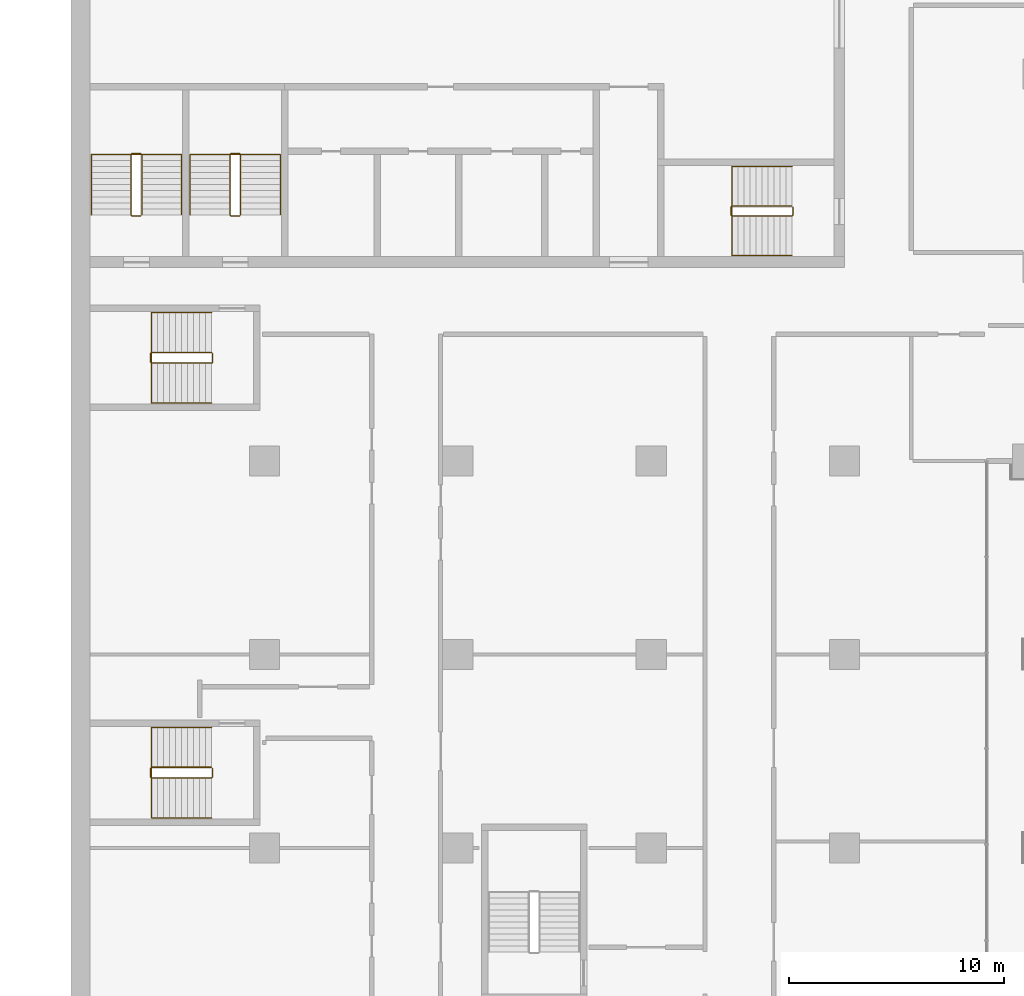
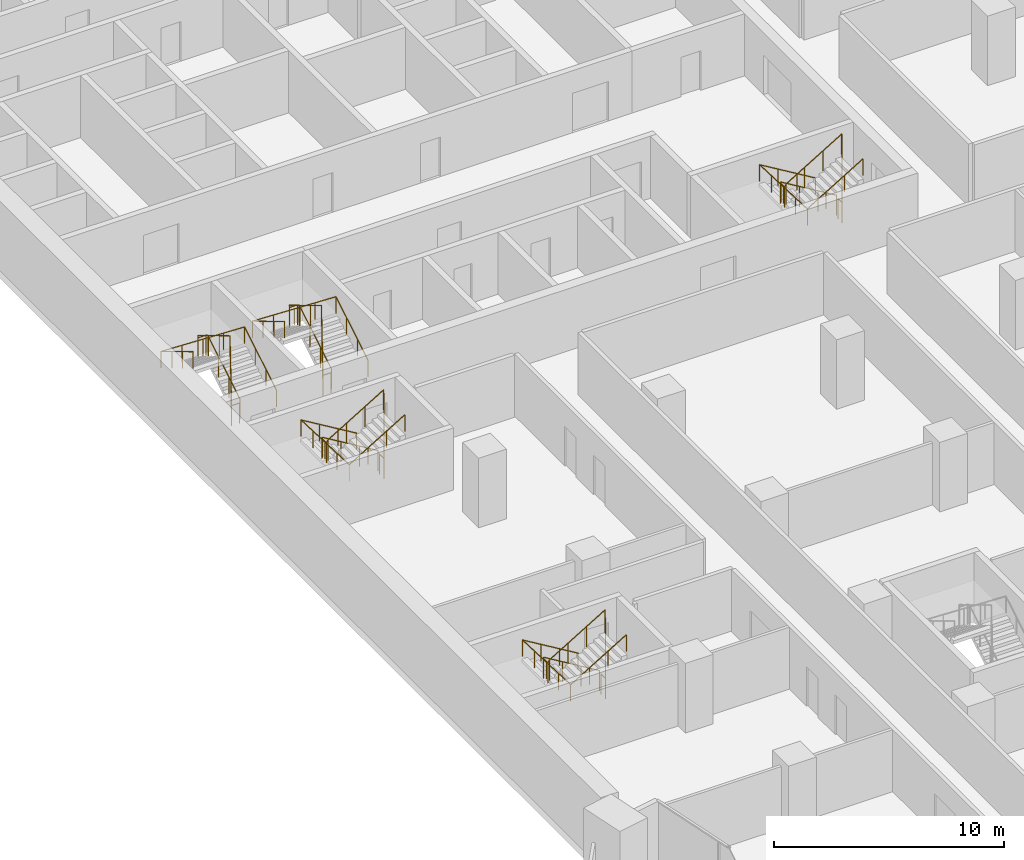
# One storey, part 26 of 29: 10 railings.
"""IFC4 building model written with IfcOpenShell, lengths in metres."""

from ifc_helpers import new_model, si_unit, direction, frame, origin, origin_2d, place, context, subcontext, project, spatial, circle, extrude, material, type_object, element, save


model = new_model("IFC4")

# Units and contexts
model_context = context("Model", 3, precision=1e-05, world=origin(), true_north=direction((0.0, 1.0)))
body_context = subcontext(model_context, "Body", "Model", "MODEL_VIEW")
ifc_project = project(units=[si_unit("LENGTHUNIT", "METRE"), si_unit("AREAUNIT", "SQUARE_METRE"), si_unit("VOLUMEUNIT", "CUBIC_METRE"), si_unit("PLANEANGLEUNIT", "RADIAN"), si_unit("MASSUNIT", "GRAM", prefix="KILO")], contexts=[model_context])

# Site, building, storey
site_placement = place(None, origin())
site = spatial("IfcSite", under=ifc_project, at=site_placement, CompositionType="ELEMENT")
building_placement = place(site_placement, origin())
building = spatial("IfcBuilding", under=site, at=building_placement, Name="Hunhe Ridgeline Campus", CompositionType="ELEMENT")
storey_placement = place(building_placement, frame((0.0, 0.0, 69.10009765625)))
storey = spatial("IfcBuildingStorey", under=building, at=storey_placement, Name="L16", CompositionType="ELEMENT", Elevation=69.10009765625)

# Railings
ifc_material_1 = material(Name="Stainless steel balustrade", Category="steel")
railing_type_1 = type_object("IfcRailingType", Name="Stair guard 1100 stainless", PredefinedType="GUARDRAIL", material=ifc_material_1)
railing_1_placement = place(storey_placement, frame((33.550048828125, 65.85009765625, 0.16796875)))
element("IfcRailing", 1, at=railing_1_placement, inside=storey, type_object=railing_type_1, Name="L16 stair S2 guard", PredefinedType="GUARDRAIL", context=body_context, shape_type="SweptSolid", body=[
    extrude(circle(Radius=0.02392578125, at=origin_2d()), frame((0.0, 0.0, 1.076171875), z_axis=(-0.857242210791, 0.0, 0.514913383045), x_axis=(0.0, -1.0, 0.0)), (0.0, 0.0, 1.0), 3.266357421875),
    extrude(circle(Radius=0.02392578125, at=origin_2d()), frame((-2.800048828125, 0.0, 2.7578125), z_axis=(-0.707106781187, -0.707106781187, 0.0), x_axis=(0.707106781187, -0.707106781187, 0.0)), (0.0, 0.0, 1.0), 0.07080078125),
    extrude(circle(Radius=0.02392578125, at=origin_2d()), frame((-2.85009765625, -0.050048828125, 2.7578125), z_axis=(0.0, -1.0, 0.0), x_axis=(1.0, 0.0, 0.0)), (0.0, 0.0, 1.0), 0.35009765625),
    extrude(circle(Radius=0.02392578125, at=origin_2d()), frame((-2.85009765625, -0.400146484375, 2.7578125), z_axis=(0.274243871929, -0.274243871929, 0.92172696468), x_axis=(0.707106781187, 0.707106781187, 0.0)), (0.0, 0.0, 1.0), 0.1826171875),
    extrude(circle(Radius=0.02392578125, at=origin_2d()), frame((-2.800048828125, -0.4501953125, 2.92626953125), z_axis=(0.857242210791, 0.0, 0.514913383045), x_axis=(0.0, 1.0, 0.0)), (0.0, 0.0, 1.0), 3.266357421875),
    extrude(circle(Radius=0.02392578125, at=origin_2d()), frame((0.0, -0.4501953125, 4.60791015625), z_axis=(0.013524414389, 0.013524414389, -0.999817073484), x_axis=(-0.707106781187, 0.707106781187, 0.0)), (0.0, 0.0, 1.0), 3.70068359375),
    extrude(circle(Radius=0.02392578125, at=origin_2d()), frame((0.050048828125, -0.400146484375, 0.908203125), z_axis=(0.0, 1.0, 0.0), x_axis=(-1.0, 0.0, 0.0)), (0.0, 0.0, 1.0), 0.35009765625),
    extrude(circle(Radius=0.02099609375, at=origin_2d()), origin(), (0.0, 0.0, 1.0), 1.052001953125),
    extrude(circle(Radius=0.02099609375, at=origin_2d()), frame((-0.933349609375, 0.0, 0.560546875)), (0.0, 0.0, 1.0), 1.052001953125),
    extrude(circle(Radius=0.02099609375, at=origin_2d()), frame((-1.86669921875, 0.0, 1.121337890625)), (0.0, 0.0, 1.0), 1.052001953125),
    extrude(circle(Radius=0.02099609375, at=origin_2d()), frame((-2.800048828125, 0.0, 1.681884765625)), (0.0, 0.0, 1.0), 1.052001953125),
    extrude(circle(Radius=0.02099609375, at=origin_2d()), frame((-2.85009765625, -0.050048828125, 1.681884765625)), (0.0, 0.0, 1.0), 1.052001953125),
    extrude(circle(Radius=0.02099609375, at=origin_2d()), frame((-2.85009765625, -0.400146484375, 1.681884765625)), (0.0, 0.0, 1.0), 1.052001953125),
    extrude(circle(Radius=0.02099609375, at=origin_2d()), frame((-2.800048828125, -0.4501953125, 1.85009765625)), (0.0, 0.0, 1.0), 1.052001953125),
    extrude(circle(Radius=0.02099609375, at=origin_2d()), frame((-1.86669921875, -0.4501953125, 2.41064453125)), (0.0, 0.0, 1.0), 1.052001953125),
    extrude(circle(Radius=0.02099609375, at=origin_2d()), frame((-0.933349609375, -0.4501953125, 2.971435546875)), (0.0, 0.0, 1.0), 1.052001953125),
    extrude(circle(Radius=0.02099609375, at=origin_2d()), frame((0.0, -0.4501953125, 3.531982421875)), (0.0, 0.0, 1.0), 1.052001953125),
    extrude(circle(Radius=0.02099609375, at=origin_2d()), frame((0.012451171875, -0.437744140625, 2.60693359375)), (0.0, 0.0, 1.0), 1.052001953125),
    extrude(circle(Radius=0.02099609375, at=origin_2d()), frame((0.02490234375, -0.42529296875, 1.68212890625)), (0.0, 0.0, 1.0), 1.052001953125),
    extrude(circle(Radius=0.02099609375, at=origin_2d()), frame((0.03759765625, -0.41259765625, 0.757080078125)), (0.0, 0.0, 1.0), 1.052001953125),
    extrude(circle(Radius=0.02099609375, at=origin_2d()), frame((0.050048828125, -0.400146484375, -0.16796875)), (0.0, 0.0, 1.0), 1.052001953125),
    extrude(circle(Radius=0.02099609375, at=origin_2d()), frame((0.050048828125, -0.050048828125, -0.16796875)), (0.0, 0.0, 1.0), 1.052001953125),
])
railing_2_placement = place(storey_placement, frame((3.300048828125, 65.449951171875, 0.16796875)))
element("IfcRailing", 2, at=railing_2_placement, inside=storey, type_object=railing_type_1, Name="L16 stair S3 guard", PredefinedType="GUARDRAIL", context=body_context, shape_type="SweptSolid", body=[
    extrude(circle(Radius=0.02392578125, at=origin_2d()), frame((0.0, 0.0, 1.076171875), z_axis=(0.0, 0.857242210791, 0.514913383045), x_axis=(-1.0, 0.0, 0.0)), (0.0, 0.0, 1.0), 3.266357421875),
    extrude(circle(Radius=0.02392578125, at=origin_2d()), frame((0.0, 2.800048828125, 2.7578125), z_axis=(-0.707106781187, 0.707106781187, 0.0), x_axis=(-0.707106781187, -0.707106781187, 0.0)), (0.0, 0.0, 1.0), 0.07080078125),
    extrude(circle(Radius=0.02392578125, at=origin_2d()), frame((-0.050048828125, 2.85009765625, 2.7578125), z_axis=(-1.0, 0.0, 0.0), x_axis=(0.0, -1.0, 0.0)), (0.0, 0.0, 1.0), 0.39990234375),
    extrude(circle(Radius=0.02392578125, at=origin_2d()), frame((-0.449951171875, 2.85009765625, 2.7578125), z_axis=(-0.274243871929, -0.274243871929, 0.92172696468), x_axis=(0.707106781187, -0.707106781187, 0.0)), (0.0, 0.0, 1.0), 0.1826171875),
    extrude(circle(Radius=0.02392578125, at=origin_2d()), frame((-0.5, 2.800048828125, 2.92626953125), z_axis=(0.0, -0.857242210791, 0.514913383045), x_axis=(1.0, 0.0, 0.0)), (0.0, 0.0, 1.0), 3.266357421875),
    extrude(circle(Radius=0.02392578125, at=origin_2d()), frame((-0.5, 0.0, 4.60791015625), z_axis=(0.013524414389, -0.013524414389, -0.999817073484), x_axis=(0.707106781187, 0.707106781187, 0.0)), (0.0, 0.0, 1.0), 3.70068359375),
    extrude(circle(Radius=0.02392578125, at=origin_2d()), frame((-0.449951171875, -0.050048828125, 0.908203125), z_axis=(1.0, 0.0, 0.0), x_axis=(0.0, 1.0, 0.0)), (0.0, 0.0, 1.0), 0.39990234375),
    extrude(circle(Radius=0.02099609375, at=origin_2d()), origin(), (0.0, 0.0, 1.0), 1.052001953125),
    extrude(circle(Radius=0.02099609375, at=origin_2d()), frame((0.0, 0.933349609375, 0.560546875)), (0.0, 0.0, 1.0), 1.052001953125),
    extrude(circle(Radius=0.02099609375, at=origin_2d()), frame((0.0, 1.86669921875, 1.121337890625)), (0.0, 0.0, 1.0), 1.052001953125),
    extrude(circle(Radius=0.02099609375, at=origin_2d()), frame((0.0, 2.800048828125, 1.681884765625)), (0.0, 0.0, 1.0), 1.052001953125),
    extrude(circle(Radius=0.02099609375, at=origin_2d()), frame((-0.050048828125, 2.85009765625, 1.681884765625)), (0.0, 0.0, 1.0), 1.052001953125),
    extrude(circle(Radius=0.02099609375, at=origin_2d()), frame((-0.449951171875, 2.85009765625, 1.681884765625)), (0.0, 0.0, 1.0), 1.052001953125),
    extrude(circle(Radius=0.02099609375, at=origin_2d()), frame((-0.5, 2.800048828125, 1.85009765625)), (0.0, 0.0, 1.0), 1.052001953125),
    extrude(circle(Radius=0.02099609375, at=origin_2d()), frame((-0.5, 1.86669921875, 2.41064453125)), (0.0, 0.0, 1.0), 1.052001953125),
    extrude(circle(Radius=0.02099609375, at=origin_2d()), frame((-0.5, 0.933349609375, 2.971435546875)), (0.0, 0.0, 1.0), 1.052001953125),
    extrude(circle(Radius=0.02099609375, at=origin_2d()), frame((-0.5, 0.0, 3.531982421875)), (0.0, 0.0, 1.0), 1.052001953125),
    extrude(circle(Radius=0.02099609375, at=origin_2d()), frame((-0.487548828125, -0.012451171875, 2.60693359375)), (0.0, 0.0, 1.0), 1.052001953125),
    extrude(circle(Radius=0.02099609375, at=origin_2d()), frame((-0.47509765625, -0.02490234375, 1.68212890625)), (0.0, 0.0, 1.0), 1.052001953125),
    extrude(circle(Radius=0.02099609375, at=origin_2d()), frame((-0.46240234375, -0.03759765625, 0.757080078125)), (0.0, 0.0, 1.0), 1.052001953125),
    extrude(circle(Radius=0.02099609375, at=origin_2d()), frame((-0.449951171875, -0.050048828125, -0.16796875)), (0.0, 0.0, 1.0), 1.052001953125),
    extrude(circle(Radius=0.02099609375, at=origin_2d()), frame((-0.050048828125, -0.050048828125, -0.16796875)), (0.0, 0.0, 1.0), 1.052001953125),
])
railing_3_placement = place(storey_placement, frame((7.89990234375, 65.449951171875, 0.16796875)))
element("IfcRailing", 3, at=railing_3_placement, inside=storey, type_object=railing_type_1, Name="L16 stair S4 guard", PredefinedType="GUARDRAIL", context=body_context, shape_type="SweptSolid", body=[
    extrude(circle(Radius=0.02392578125, at=origin_2d()), frame((0.0, 0.0, 1.076171875), z_axis=(0.0, 0.857242210791, 0.514913383045), x_axis=(-1.0, 0.0, 0.0)), (0.0, 0.0, 1.0), 3.266357421875),
    extrude(circle(Radius=0.02392578125, at=origin_2d()), frame((0.0, 2.800048828125, 2.7578125), z_axis=(-0.705375805398, 0.708833529934, 0.0), x_axis=(-0.708833529934, -0.705375805398, 0.0)), (0.0, 0.0, 1.0), 0.070556640625),
    extrude(circle(Radius=0.02392578125, at=origin_2d()), frame((-0.0498046875, 2.85009765625, 2.7578125), z_axis=(-1.0, 0.0, 0.0), x_axis=(0.0, -1.0, 0.0)), (0.0, 0.0, 1.0), 0.400146484375),
    extrude(circle(Radius=0.02392578125, at=origin_2d()), frame((-0.449951171875, 2.85009765625, 2.7578125), z_axis=(-0.274243871929, -0.274243871929, 0.92172696468), x_axis=(0.707106781187, -0.707106781187, 0.0)), (0.0, 0.0, 1.0), 0.1826171875),
    extrude(circle(Radius=0.02392578125, at=origin_2d()), frame((-0.5, 2.800048828125, 2.92626953125), z_axis=(0.0, -0.857242210791, 0.514913383045), x_axis=(1.0, 0.0, 0.0)), (0.0, 0.0, 1.0), 3.266357421875),
    extrude(circle(Radius=0.02392578125, at=origin_2d()), frame((-0.5, 0.0, 4.60791015625), z_axis=(0.013524414389, -0.013524414389, -0.999817073484), x_axis=(0.707106781187, 0.707106781187, 0.0)), (0.0, 0.0, 1.0), 3.70068359375),
    extrude(circle(Radius=0.02392578125, at=origin_2d()), frame((-0.449951171875, -0.050048828125, 0.908203125), z_axis=(1.0, 0.0, 0.0), x_axis=(0.0, 1.0, 0.0)), (0.0, 0.0, 1.0), 0.400146484375),
    extrude(circle(Radius=0.02099609375, at=origin_2d()), origin(), (0.0, 0.0, 1.0), 1.052001953125),
    extrude(circle(Radius=0.02099609375, at=origin_2d()), frame((0.0, 0.933349609375, 0.560546875)), (0.0, 0.0, 1.0), 1.052001953125),
    extrude(circle(Radius=0.02099609375, at=origin_2d()), frame((0.0, 1.86669921875, 1.121337890625)), (0.0, 0.0, 1.0), 1.052001953125),
    extrude(circle(Radius=0.02099609375, at=origin_2d()), frame((0.0, 2.800048828125, 1.681884765625)), (0.0, 0.0, 1.0), 1.052001953125),
    extrude(circle(Radius=0.02099609375, at=origin_2d()), frame((-0.0498046875, 2.85009765625, 1.681884765625)), (0.0, 0.0, 1.0), 1.052001953125),
    extrude(circle(Radius=0.02099609375, at=origin_2d()), frame((-0.449951171875, 2.85009765625, 1.681884765625)), (0.0, 0.0, 1.0), 1.052001953125),
    extrude(circle(Radius=0.02099609375, at=origin_2d()), frame((-0.5, 2.800048828125, 1.85009765625)), (0.0, 0.0, 1.0), 1.052001953125),
    extrude(circle(Radius=0.02099609375, at=origin_2d()), frame((-0.5, 1.86669921875, 2.41064453125)), (0.0, 0.0, 1.0), 1.052001953125),
    extrude(circle(Radius=0.02099609375, at=origin_2d()), frame((-0.5, 0.933349609375, 2.971435546875)), (0.0, 0.0, 1.0), 1.052001953125),
    extrude(circle(Radius=0.02099609375, at=origin_2d()), frame((-0.5, 0.0, 3.531982421875)), (0.0, 0.0, 1.0), 1.052001953125),
    extrude(circle(Radius=0.02099609375, at=origin_2d()), frame((-0.487548828125, -0.012451171875, 2.60693359375)), (0.0, 0.0, 1.0), 1.052001953125),
    extrude(circle(Radius=0.02099609375, at=origin_2d()), frame((-0.47509765625, -0.02490234375, 1.68212890625)), (0.0, 0.0, 1.0), 1.052001953125),
    extrude(circle(Radius=0.02099609375, at=origin_2d()), frame((-0.46240234375, -0.03759765625, 0.757080078125)), (0.0, 0.0, 1.0), 1.052001953125),
    extrude(circle(Radius=0.02099609375, at=origin_2d()), frame((-0.449951171875, -0.050048828125, -0.16796875)), (0.0, 0.0, 1.0), 1.052001953125),
    extrude(circle(Radius=0.02099609375, at=origin_2d()), frame((-0.0498046875, -0.050048828125, -0.16796875)), (0.0, 0.0, 1.0), 1.052001953125),
])
railing_4_placement = place(storey_placement, frame((6.550048828125, 39.75, 0.16796875)))
element("IfcRailing", 4, at=railing_4_placement, inside=storey, type_object=railing_type_1, Name="L16 stair W1 guard", PredefinedType="GUARDRAIL", context=body_context, shape_type="SweptSolid", body=[
    extrude(circle(Radius=0.02392578125, at=origin_2d()), frame((0.0, 0.0, 1.076171875), z_axis=(-0.857242210791, 0.0, 0.514913383045), x_axis=(0.0, -1.0, 0.0)), (0.0, 0.0, 1.0), 3.266357421875),
    extrude(circle(Radius=0.02392578125, at=origin_2d()), frame((-2.800048828125, 0.0, 2.7578125), z_axis=(-0.707106781187, -0.707106781187, 0.0), x_axis=(0.707106781187, -0.707106781187, 0.0)), (0.0, 0.0, 1.0), 0.07080078125),
    extrude(circle(Radius=0.02392578125, at=origin_2d()), frame((-2.85009765625, -0.050048828125, 2.7578125), z_axis=(0.0, -1.0, 0.0), x_axis=(1.0, 0.0, 0.0)), (0.0, 0.0, 1.0), 0.39990234375),
    extrude(circle(Radius=0.02392578125, at=origin_2d()), frame((-2.85009765625, -0.449951171875, 2.7578125), z_axis=(0.274243871929, -0.274243871929, 0.92172696468), x_axis=(0.707106781187, 0.707106781187, 0.0)), (0.0, 0.0, 1.0), 0.1826171875),
    extrude(circle(Radius=0.02392578125, at=origin_2d()), frame((-2.800048828125, -0.5, 2.92626953125), z_axis=(0.857242210791, 0.0, 0.514913383045), x_axis=(0.0, 1.0, 0.0)), (0.0, 0.0, 1.0), 3.266357421875),
    extrude(circle(Radius=0.02392578125, at=origin_2d()), frame((0.0, -0.5, 4.60791015625), z_axis=(0.013524414389, 0.013524414389, -0.999817073484), x_axis=(-0.707106781187, 0.707106781187, 0.0)), (0.0, 0.0, 1.0), 3.70068359375),
    extrude(circle(Radius=0.02392578125, at=origin_2d()), frame((0.050048828125, -0.449951171875, 0.908203125), z_axis=(0.0, 1.0, 0.0), x_axis=(-1.0, 0.0, 0.0)), (0.0, 0.0, 1.0), 0.39990234375),
    extrude(circle(Radius=0.02099609375, at=origin_2d()), origin(), (0.0, 0.0, 1.0), 1.052001953125),
    extrude(circle(Radius=0.02099609375, at=origin_2d()), frame((-0.933349609375, 0.0, 0.560546875)), (0.0, 0.0, 1.0), 1.052001953125),
    extrude(circle(Radius=0.02099609375, at=origin_2d()), frame((-1.86669921875, 0.0, 1.121337890625)), (0.0, 0.0, 1.0), 1.052001953125),
    extrude(circle(Radius=0.02099609375, at=origin_2d()), frame((-2.800048828125, 0.0, 1.681884765625)), (0.0, 0.0, 1.0), 1.052001953125),
    extrude(circle(Radius=0.02099609375, at=origin_2d()), frame((-2.85009765625, -0.050048828125, 1.681884765625)), (0.0, 0.0, 1.0), 1.052001953125),
    extrude(circle(Radius=0.02099609375, at=origin_2d()), frame((-2.85009765625, -0.449951171875, 1.681884765625)), (0.0, 0.0, 1.0), 1.052001953125),
    extrude(circle(Radius=0.02099609375, at=origin_2d()), frame((-2.800048828125, -0.5, 1.85009765625)), (0.0, 0.0, 1.0), 1.052001953125),
    extrude(circle(Radius=0.02099609375, at=origin_2d()), frame((-1.86669921875, -0.5, 2.41064453125)), (0.0, 0.0, 1.0), 1.052001953125),
    extrude(circle(Radius=0.02099609375, at=origin_2d()), frame((-0.933349609375, -0.5, 2.971435546875)), (0.0, 0.0, 1.0), 1.052001953125),
    extrude(circle(Radius=0.02099609375, at=origin_2d()), frame((0.0, -0.5, 3.531982421875)), (0.0, 0.0, 1.0), 1.052001953125),
    extrude(circle(Radius=0.02099609375, at=origin_2d()), frame((0.012451171875, -0.487548828125, 2.60693359375)), (0.0, 0.0, 1.0), 1.052001953125),
    extrude(circle(Radius=0.02099609375, at=origin_2d()), frame((0.02490234375, -0.47509765625, 1.68212890625)), (0.0, 0.0, 1.0), 1.052001953125),
    extrude(circle(Radius=0.02099609375, at=origin_2d()), frame((0.03759765625, -0.46240234375, 0.757080078125)), (0.0, 0.0, 1.0), 1.052001953125),
    extrude(circle(Radius=0.02099609375, at=origin_2d()), frame((0.050048828125, -0.449951171875, -0.16796875)), (0.0, 0.0, 1.0), 1.052001953125),
    extrude(circle(Radius=0.02099609375, at=origin_2d()), frame((0.050048828125, -0.050048828125, -0.16796875)), (0.0, 0.0, 1.0), 1.052001953125),
])
railing_5_placement = place(storey_placement, frame((6.550048828125, 59.050048828125, 0.16796875)))
element("IfcRailing", 5, at=railing_5_placement, inside=storey, type_object=railing_type_1, Name="L16 stair W2 guard", PredefinedType="GUARDRAIL", context=body_context, shape_type="SweptSolid", body=[
    extrude(circle(Radius=0.02392578125, at=origin_2d()), frame((0.0, 0.0, 1.076171875), z_axis=(-0.857242210791, 0.0, 0.514913383045), x_axis=(0.0, -1.0, 0.0)), (0.0, 0.0, 1.0), 3.266357421875),
    extrude(circle(Radius=0.02392578125, at=origin_2d()), frame((-2.800048828125, 0.0, 2.7578125), z_axis=(-0.707106781187, -0.707106781187, 0.0), x_axis=(0.707106781187, -0.707106781187, 0.0)), (0.0, 0.0, 1.0), 0.07080078125),
    extrude(circle(Radius=0.02392578125, at=origin_2d()), frame((-2.85009765625, -0.050048828125, 2.7578125), z_axis=(0.0, -1.0, 0.0), x_axis=(1.0, 0.0, 0.0)), (0.0, 0.0, 1.0), 0.39990234375),
    extrude(circle(Radius=0.02392578125, at=origin_2d()), frame((-2.85009765625, -0.449951171875, 2.7578125), z_axis=(0.274243871929, -0.274243871929, 0.92172696468), x_axis=(0.707106781187, 0.707106781187, 0.0)), (0.0, 0.0, 1.0), 0.1826171875),
    extrude(circle(Radius=0.02392578125, at=origin_2d()), frame((-2.800048828125, -0.5, 2.92626953125), z_axis=(0.857242210791, 0.0, 0.514913383045), x_axis=(0.0, 1.0, 0.0)), (0.0, 0.0, 1.0), 3.266357421875),
    extrude(circle(Radius=0.02392578125, at=origin_2d()), frame((0.0, -0.5, 4.60791015625), z_axis=(0.013524414389, 0.013524414389, -0.999817073484), x_axis=(-0.707106781187, 0.707106781187, 0.0)), (0.0, 0.0, 1.0), 3.70068359375),
    extrude(circle(Radius=0.02392578125, at=origin_2d()), frame((0.050048828125, -0.449951171875, 0.908203125), z_axis=(0.0, 1.0, 0.0), x_axis=(-1.0, 0.0, 0.0)), (0.0, 0.0, 1.0), 0.39990234375),
    extrude(circle(Radius=0.02099609375, at=origin_2d()), origin(), (0.0, 0.0, 1.0), 1.052001953125),
    extrude(circle(Radius=0.02099609375, at=origin_2d()), frame((-0.933349609375, 0.0, 0.560546875)), (0.0, 0.0, 1.0), 1.052001953125),
    extrude(circle(Radius=0.02099609375, at=origin_2d()), frame((-1.86669921875, 0.0, 1.121337890625)), (0.0, 0.0, 1.0), 1.052001953125),
    extrude(circle(Radius=0.02099609375, at=origin_2d()), frame((-2.800048828125, 0.0, 1.681884765625)), (0.0, 0.0, 1.0), 1.052001953125),
    extrude(circle(Radius=0.02099609375, at=origin_2d()), frame((-2.85009765625, -0.050048828125, 1.681884765625)), (0.0, 0.0, 1.0), 1.052001953125),
    extrude(circle(Radius=0.02099609375, at=origin_2d()), frame((-2.85009765625, -0.449951171875, 1.681884765625)), (0.0, 0.0, 1.0), 1.052001953125),
    extrude(circle(Radius=0.02099609375, at=origin_2d()), frame((-2.800048828125, -0.5, 1.85009765625)), (0.0, 0.0, 1.0), 1.052001953125),
    extrude(circle(Radius=0.02099609375, at=origin_2d()), frame((-1.86669921875, -0.5, 2.41064453125)), (0.0, 0.0, 1.0), 1.052001953125),
    extrude(circle(Radius=0.02099609375, at=origin_2d()), frame((-0.933349609375, -0.5, 2.971435546875)), (0.0, 0.0, 1.0), 1.052001953125),
    extrude(circle(Radius=0.02099609375, at=origin_2d()), frame((0.0, -0.5, 3.531982421875)), (0.0, 0.0, 1.0), 1.052001953125),
    extrude(circle(Radius=0.02099609375, at=origin_2d()), frame((0.012451171875, -0.487548828125, 2.60693359375)), (0.0, 0.0, 1.0), 1.052001953125),
    extrude(circle(Radius=0.02099609375, at=origin_2d()), frame((0.02490234375, -0.47509765625, 1.68212890625)), (0.0, 0.0, 1.0), 1.052001953125),
    extrude(circle(Radius=0.02099609375, at=origin_2d()), frame((0.03759765625, -0.46240234375, 0.757080078125)), (0.0, 0.0, 1.0), 1.052001953125),
    extrude(circle(Radius=0.02099609375, at=origin_2d()), frame((0.050048828125, -0.449951171875, -0.16796875)), (0.0, 0.0, 1.0), 1.052001953125),
    extrude(circle(Radius=0.02099609375, at=origin_2d()), frame((0.050048828125, -0.050048828125, -0.16796875)), (0.0, 0.0, 1.0), 1.052001953125),
])
ifc_material_2 = material(Name="Stainless steel handrail", Category="steel")
railing_type_2 = type_object("IfcRailingType", Name="Stair handrail 900 stainless", PredefinedType="HANDRAIL", material=ifc_material_2)
railing_6_placement = place(storey_placement, frame((33.550048828125, 67.699951171875, 0.16796875)))
element("IfcRailing", 6, at=railing_6_placement, inside=storey, type_object=railing_type_2, Name="L16 stair S2 handrail", PredefinedType="HANDRAIL", context=body_context, shape_type="SweptSolid", body=[
    extrude(circle(Radius=0.02392578125, at=origin_2d()), frame((0.0, 0.0, 0.8759765625), z_axis=(-0.857242210791, 0.0, 0.514913383045), x_axis=(0.0, -1.0, 0.0)), (0.0, 0.0, 1.0), 3.266357421875),
    extrude(circle(Radius=0.02392578125, at=origin_2d()), frame((-2.800048828125, 0.0, 2.5576171875), z_axis=(0.0, -0.99917950104, 0.040500922239), x_axis=(1.0, 0.0, 0.0)), (0.0, 0.0, 1.0), 4.1533203125),
    extrude(circle(Radius=0.02392578125, at=origin_2d()), frame((-2.800048828125, -4.14990234375, 2.72607421875), z_axis=(0.857242210791, 0.0, 0.514913383045), x_axis=(0.0, 1.0, 0.0)), (0.0, 0.0, 1.0), 3.266357421875),
    extrude(circle(Radius=0.02099609375, at=origin_2d()), origin(), (0.0, 0.0, 1.0), 0.851806640625),
    extrude(circle(Radius=0.02099609375, at=origin_2d()), frame((-0.933349609375, 0.0, 0.560546875)), (0.0, 0.0, 1.0), 0.851806640625),
    extrude(circle(Radius=0.02099609375, at=origin_2d()), frame((-1.86669921875, 0.0, 1.121337890625)), (0.0, 0.0, 1.0), 0.851806640625),
    extrude(circle(Radius=0.02099609375, at=origin_2d()), frame((-2.800048828125, 0.0, 1.681884765625)), (0.0, 0.0, 1.0), 0.851806640625),
    extrude(circle(Radius=0.02099609375, at=origin_2d()), frame((-2.800048828125, -1.03759765625, 1.723876953125)), (0.0, 0.0, 1.0), 0.851806640625),
    extrude(circle(Radius=0.02099609375, at=origin_2d()), frame((-2.800048828125, -2.074951171875, 1.76611328125)), (0.0, 0.0, 1.0), 0.851806640625),
    extrude(circle(Radius=0.02099609375, at=origin_2d()), frame((-2.800048828125, -3.1123046875, 1.80810546875)), (0.0, 0.0, 1.0), 0.851806640625),
    extrude(circle(Radius=0.02099609375, at=origin_2d()), frame((-2.800048828125, -4.14990234375, 1.85009765625)), (0.0, 0.0, 1.0), 0.851806640625),
    extrude(circle(Radius=0.02099609375, at=origin_2d()), frame((-1.86669921875, -4.14990234375, 2.41064453125)), (0.0, 0.0, 1.0), 0.851806640625),
    extrude(circle(Radius=0.02099609375, at=origin_2d()), frame((-0.933349609375, -4.14990234375, 2.971435546875)), (0.0, 0.0, 1.0), 0.851806640625),
    extrude(circle(Radius=0.02099609375, at=origin_2d()), frame((0.0, -4.14990234375, 3.531982421875)), (0.0, 0.0, 1.0), 0.851806640625),
])
railing_7_placement = place(storey_placement, frame((5.14990234375, 65.449951171875, 0.16796875)))
element("IfcRailing", 7, at=railing_7_placement, inside=storey, type_object=railing_type_2, Name="L16 stair S3 handrail", PredefinedType="HANDRAIL", context=body_context, shape_type="SweptSolid", body=[
    extrude(circle(Radius=0.02392578125, at=origin_2d()), frame((0.0, 0.0, 0.8759765625), z_axis=(0.0, 0.857242210791, 0.514913383045), x_axis=(-1.0, 0.0, 0.0)), (0.0, 0.0, 1.0), 3.266357421875),
    extrude(circle(Radius=0.02392578125, at=origin_2d()), frame((0.0, 2.800048828125, 2.5576171875), z_axis=(-0.999198916169, 0.0, 0.040019069537), x_axis=(0.0, -1.0, 0.0)), (0.0, 0.0, 1.0), 4.203369140625),
    extrude(circle(Radius=0.02392578125, at=origin_2d()), frame((-4.199951171875, 2.800048828125, 2.72607421875), z_axis=(0.0, -0.857242210791, 0.514913383045), x_axis=(1.0, 0.0, 0.0)), (0.0, 0.0, 1.0), 3.266357421875),
    extrude(circle(Radius=0.02099609375, at=origin_2d()), origin(), (0.0, 0.0, 1.0), 0.851806640625),
    extrude(circle(Radius=0.02099609375, at=origin_2d()), frame((0.0, 0.933349609375, 0.560546875)), (0.0, 0.0, 1.0), 0.851806640625),
    extrude(circle(Radius=0.02099609375, at=origin_2d()), frame((0.0, 1.86669921875, 1.121337890625)), (0.0, 0.0, 1.0), 0.851806640625),
    extrude(circle(Radius=0.02099609375, at=origin_2d()), frame((0.0, 2.800048828125, 1.681884765625)), (0.0, 0.0, 1.0), 0.851806640625),
    extrude(circle(Radius=0.02099609375, at=origin_2d()), frame((-1.050048828125, 2.800048828125, 1.723876953125)), (0.0, 0.0, 1.0), 0.851806640625),
    extrude(circle(Radius=0.02099609375, at=origin_2d()), frame((-2.10009765625, 2.800048828125, 1.76611328125)), (0.0, 0.0, 1.0), 0.851806640625),
    extrude(circle(Radius=0.02099609375, at=origin_2d()), frame((-3.14990234375, 2.800048828125, 1.80810546875)), (0.0, 0.0, 1.0), 0.851806640625),
    extrude(circle(Radius=0.02099609375, at=origin_2d()), frame((-4.199951171875, 2.800048828125, 1.85009765625)), (0.0, 0.0, 1.0), 0.851806640625),
    extrude(circle(Radius=0.02099609375, at=origin_2d()), frame((-4.199951171875, 1.86669921875, 2.41064453125)), (0.0, 0.0, 1.0), 0.851806640625),
    extrude(circle(Radius=0.02099609375, at=origin_2d()), frame((-4.199951171875, 0.933349609375, 2.971435546875)), (0.0, 0.0, 1.0), 0.851806640625),
    extrude(circle(Radius=0.02099609375, at=origin_2d()), frame((-4.199951171875, 0.0, 3.531982421875)), (0.0, 0.0, 1.0), 0.851806640625),
])
railing_8_placement = place(storey_placement, frame((9.75, 65.449951171875, 0.16796875)))
element("IfcRailing", 8, at=railing_8_placement, inside=storey, type_object=railing_type_2, Name="L16 stair S4 handrail", PredefinedType="HANDRAIL", context=body_context, shape_type="SweptSolid", body=[
    extrude(circle(Radius=0.02392578125, at=origin_2d()), frame((0.0, 0.0, 0.8759765625), z_axis=(0.0, 0.857242210791, 0.514913383045), x_axis=(-1.0, 0.0, 0.0)), (0.0, 0.0, 1.0), 3.266357421875),
    extrude(circle(Radius=0.02392578125, at=origin_2d()), frame((0.0, 2.800048828125, 2.5576171875), z_axis=(-0.999198916169, 0.0, 0.040019069537), x_axis=(0.0, -1.0, 0.0)), (0.0, 0.0, 1.0), 4.203369140625),
    extrude(circle(Radius=0.02392578125, at=origin_2d()), frame((-4.199951171875, 2.800048828125, 2.72607421875), z_axis=(0.0, -0.857242210791, 0.514913383045), x_axis=(1.0, 0.0, 0.0)), (0.0, 0.0, 1.0), 3.266357421875),
    extrude(circle(Radius=0.02099609375, at=origin_2d()), origin(), (0.0, 0.0, 1.0), 0.851806640625),
    extrude(circle(Radius=0.02099609375, at=origin_2d()), frame((0.0, 0.933349609375, 0.560546875)), (0.0, 0.0, 1.0), 0.851806640625),
    extrude(circle(Radius=0.02099609375, at=origin_2d()), frame((0.0, 1.86669921875, 1.121337890625)), (0.0, 0.0, 1.0), 0.851806640625),
    extrude(circle(Radius=0.02099609375, at=origin_2d()), frame((0.0, 2.800048828125, 1.681884765625)), (0.0, 0.0, 1.0), 0.851806640625),
    extrude(circle(Radius=0.02099609375, at=origin_2d()), frame((-1.050048828125, 2.800048828125, 1.723876953125)), (0.0, 0.0, 1.0), 0.851806640625),
    extrude(circle(Radius=0.02099609375, at=origin_2d()), frame((-2.10009765625, 2.800048828125, 1.76611328125)), (0.0, 0.0, 1.0), 0.851806640625),
    extrude(circle(Radius=0.02099609375, at=origin_2d()), frame((-3.14990234375, 2.800048828125, 1.80810546875)), (0.0, 0.0, 1.0), 0.851806640625),
    extrude(circle(Radius=0.02099609375, at=origin_2d()), frame((-4.199951171875, 2.800048828125, 1.85009765625)), (0.0, 0.0, 1.0), 0.851806640625),
    extrude(circle(Radius=0.02099609375, at=origin_2d()), frame((-4.199951171875, 1.86669921875, 2.41064453125)), (0.0, 0.0, 1.0), 0.851806640625),
    extrude(circle(Radius=0.02099609375, at=origin_2d()), frame((-4.199951171875, 0.933349609375, 2.971435546875)), (0.0, 0.0, 1.0), 0.851806640625),
    extrude(circle(Radius=0.02099609375, at=origin_2d()), frame((-4.199951171875, 0.0, 3.531982421875)), (0.0, 0.0, 1.0), 0.851806640625),
])
railing_9_placement = place(storey_placement, frame((6.550048828125, 41.60009765625, 0.16796875)))
element("IfcRailing", 9, at=railing_9_placement, inside=storey, type_object=railing_type_2, Name="L16 stair W1 handrail", PredefinedType="HANDRAIL", context=body_context, shape_type="SweptSolid", body=[
    extrude(circle(Radius=0.02392578125, at=origin_2d()), frame((0.0, 0.0, 0.8759765625), z_axis=(-0.857242210791, 0.0, 0.514913383045), x_axis=(0.0, -1.0, 0.0)), (0.0, 0.0, 1.0), 3.266357421875),
    extrude(circle(Radius=0.02392578125, at=origin_2d()), frame((-2.800048828125, 0.0, 2.5576171875), z_axis=(0.0, -0.999199009182, 0.040016747113), x_axis=(1.0, 0.0, 0.0)), (0.0, 0.0, 1.0), 4.20361328125),
    extrude(circle(Radius=0.02392578125, at=origin_2d()), frame((-2.800048828125, -4.2001953125, 2.72607421875), z_axis=(0.857242210791, 0.0, 0.514913383045), x_axis=(0.0, 1.0, 0.0)), (0.0, 0.0, 1.0), 3.266357421875),
    extrude(circle(Radius=0.02099609375, at=origin_2d()), origin(), (0.0, 0.0, 1.0), 0.851806640625),
    extrude(circle(Radius=0.02099609375, at=origin_2d()), frame((-0.933349609375, 0.0, 0.560546875)), (0.0, 0.0, 1.0), 0.851806640625),
    extrude(circle(Radius=0.02099609375, at=origin_2d()), frame((-1.86669921875, 0.0, 1.121337890625)), (0.0, 0.0, 1.0), 0.851806640625),
    extrude(circle(Radius=0.02099609375, at=origin_2d()), frame((-2.800048828125, 0.0, 1.681884765625)), (0.0, 0.0, 1.0), 0.851806640625),
    extrude(circle(Radius=0.02099609375, at=origin_2d()), frame((-2.800048828125, -1.050048828125, 1.723876953125)), (0.0, 0.0, 1.0), 0.851806640625),
    extrude(circle(Radius=0.02099609375, at=origin_2d()), frame((-2.800048828125, -2.10009765625, 1.76611328125)), (0.0, 0.0, 1.0), 0.851806640625),
    extrude(circle(Radius=0.02099609375, at=origin_2d()), frame((-2.800048828125, -3.150146484375, 1.80810546875)), (0.0, 0.0, 1.0), 0.851806640625),
    extrude(circle(Radius=0.02099609375, at=origin_2d()), frame((-2.800048828125, -4.2001953125, 1.85009765625)), (0.0, 0.0, 1.0), 0.851806640625),
    extrude(circle(Radius=0.02099609375, at=origin_2d()), frame((-1.86669921875, -4.2001953125, 2.41064453125)), (0.0, 0.0, 1.0), 0.851806640625),
    extrude(circle(Radius=0.02099609375, at=origin_2d()), frame((-0.933349609375, -4.2001953125, 2.971435546875)), (0.0, 0.0, 1.0), 0.851806640625),
    extrude(circle(Radius=0.02099609375, at=origin_2d()), frame((0.0, -4.2001953125, 3.531982421875)), (0.0, 0.0, 1.0), 0.851806640625),
])
railing_10_placement = place(storey_placement, frame((6.550048828125, 60.89990234375, 0.16796875)))
element("IfcRailing", 10, at=railing_10_placement, inside=storey, type_object=railing_type_2, Name="L16 stair W2 handrail", PredefinedType="HANDRAIL", context=body_context, shape_type="SweptSolid", body=[
    extrude(circle(Radius=0.02392578125, at=origin_2d()), frame((0.0, 0.0, 0.8759765625), z_axis=(-0.857242210791, 0.0, 0.514913383045), x_axis=(0.0, -1.0, 0.0)), (0.0, 0.0, 1.0), 3.266357421875),
    extrude(circle(Radius=0.02392578125, at=origin_2d()), frame((-2.800048828125, 0.0, 2.5576171875), z_axis=(0.0, -0.999198916169, 0.040019069537), x_axis=(1.0, 0.0, 0.0)), (0.0, 0.0, 1.0), 4.203369140625),
    extrude(circle(Radius=0.02392578125, at=origin_2d()), frame((-2.800048828125, -4.199951171875, 2.72607421875), z_axis=(0.857242210791, 0.0, 0.514913383045), x_axis=(0.0, 1.0, 0.0)), (0.0, 0.0, 1.0), 3.266357421875),
    extrude(circle(Radius=0.02099609375, at=origin_2d()), origin(), (0.0, 0.0, 1.0), 0.851806640625),
    extrude(circle(Radius=0.02099609375, at=origin_2d()), frame((-0.933349609375, 0.0, 0.560546875)), (0.0, 0.0, 1.0), 0.851806640625),
    extrude(circle(Radius=0.02099609375, at=origin_2d()), frame((-1.86669921875, 0.0, 1.121337890625)), (0.0, 0.0, 1.0), 0.851806640625),
    extrude(circle(Radius=0.02099609375, at=origin_2d()), frame((-2.800048828125, 0.0, 1.681884765625)), (0.0, 0.0, 1.0), 0.851806640625),
    extrude(circle(Radius=0.02099609375, at=origin_2d()), frame((-2.800048828125, -1.050048828125, 1.723876953125)), (0.0, 0.0, 1.0), 0.851806640625),
    extrude(circle(Radius=0.02099609375, at=origin_2d()), frame((-2.800048828125, -2.10009765625, 1.76611328125)), (0.0, 0.0, 1.0), 0.851806640625),
    extrude(circle(Radius=0.02099609375, at=origin_2d()), frame((-2.800048828125, -3.14990234375, 1.80810546875)), (0.0, 0.0, 1.0), 0.851806640625),
    extrude(circle(Radius=0.02099609375, at=origin_2d()), frame((-2.800048828125, -4.199951171875, 1.85009765625)), (0.0, 0.0, 1.0), 0.851806640625),
    extrude(circle(Radius=0.02099609375, at=origin_2d()), frame((-1.86669921875, -4.199951171875, 2.41064453125)), (0.0, 0.0, 1.0), 0.851806640625),
    extrude(circle(Radius=0.02099609375, at=origin_2d()), frame((-0.933349609375, -4.199951171875, 2.971435546875)), (0.0, 0.0, 1.0), 0.851806640625),
    extrude(circle(Radius=0.02099609375, at=origin_2d()), frame((0.0, -4.199951171875, 3.531982421875)), (0.0, 0.0, 1.0), 0.851806640625),
])

save(model, "model.ifc")
